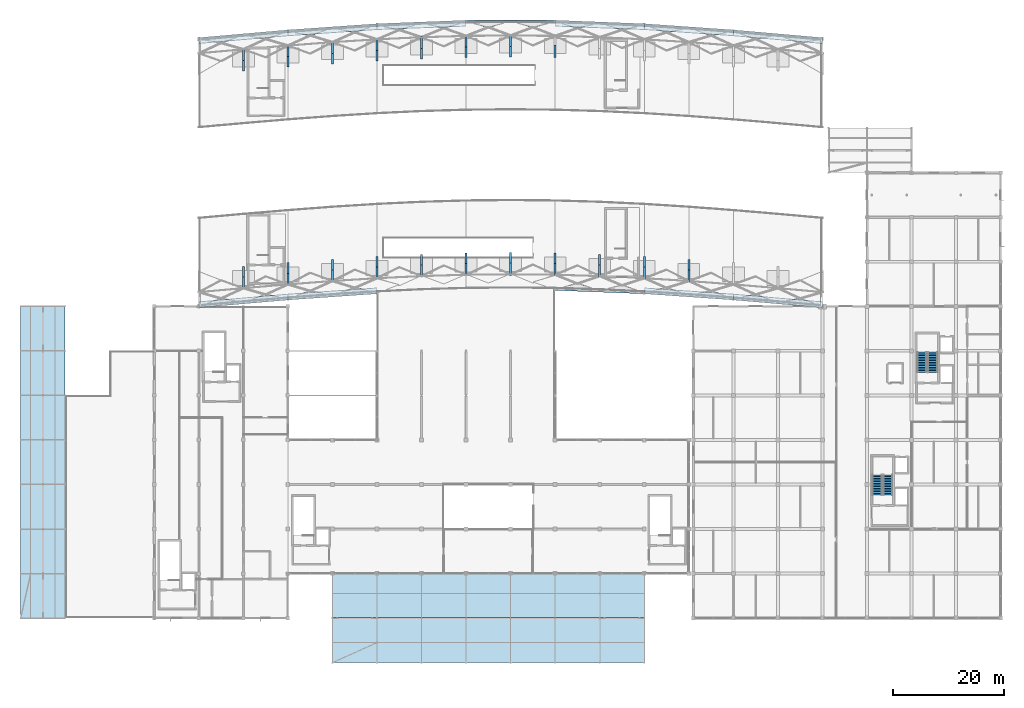
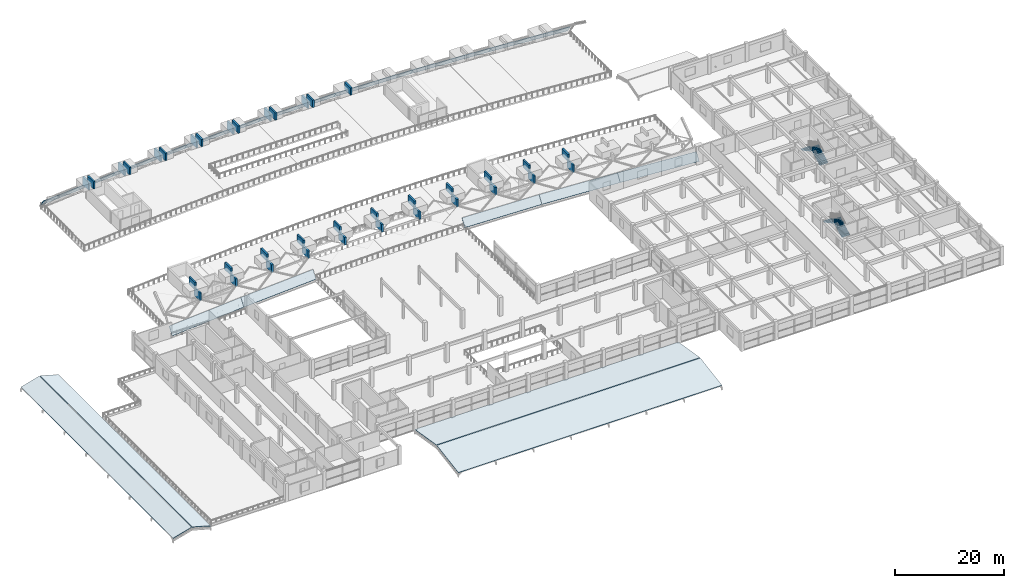
# One storey, part 49 of 67: 37 discrete accessories, 16 roofs, 4 stair flights, 2 elements without a shape of their own.
"""IFC4 building model written with IfcOpenShell, lengths in metres."""

import ifcopenshell
import ifcopenshell.guid

model = None  # the IFC model being written
_history = None  # IfcOwnerHistory: only IFC2X3 demands one
_inside = {}  # id of a spatial element -> (the spatial element, [elements in it])
_under = {}  # id of a project, library or spatial element -> (it, [spatial elements below it])
_declared = {}  # id of a project -> (the project, [libraries it declares])
_typed = {}  # id of a type object -> (the type object, [elements of that type])
_made_of = {}  # id of a material, layer set ... -> (it, [elements and type objects made of it])


def new_model(schema):
    """Start an empty IFC model of exactly this schema.

    Asked for "IFC4X3", IfcOpenShell would pick the latest addendum, in which some entities
    have other attributes; the version numbers below select the first issue.
    IFC2X3 requires an IfcOwnerHistory on every rooted entity: one is made here for all.
    """
    global model, _history
    if schema == "IFC4X3":
        model = ifcopenshell.file(schema_version=(4, 3, 0, 0))
    else:
        model = ifcopenshell.file(schema=schema)
    _inside.clear()
    _under.clear()
    _declared.clear()
    _typed.clear()
    _made_of.clear()
    _history = None
    if model.schema == "IFC2X3":
        org = make("IfcOrganization", Name="unknown")
        user = make(
            "IfcPersonAndOrganization",
            ThePerson=make("IfcPerson", FamilyName="unknown"),
            TheOrganization=org,
        )
        app = make(
            "IfcApplication",
            ApplicationDeveloper=org,
            Version="unknown",
            ApplicationFullName="unknown",
            ApplicationIdentifier="unknown",
        )
        _history = make(
            "IfcOwnerHistory",
            OwningUser=user,
            OwningApplication=app,
            ChangeAction="ADDED",
            CreationDate=0,
        )
    return model


def make(cls, **values):
    """One entity of the class cls with the attributes given. An attribute that is None is left unset."""
    return model.create_entity(
        cls, **{name: value for name, value in values.items() if value is not None}
    )


def rooted(cls, **values):
    """An entity with a GlobalId (a new one), such as an element, a storey or a relation."""
    return make(cls, GlobalId=ifcopenshell.guid.new(), OwnerHistory=_history, **values)


def si_unit(unit_type, name, prefix=None):
    """IfcSIUnit, for example si_unit("LENGTHUNIT", "METRE", prefix="MILLI")."""
    return make("IfcSIUnit", UnitType=unit_type, Prefix=prefix, Name=name)


def assignment(units):
    """IfcUnitAssignment: the units of a project."""
    return None if units is None else make("IfcUnitAssignment", Units=units)


def point(xyz):
    """IfcCartesianPoint."""
    return None if xyz is None else make("IfcCartesianPoint", Coordinates=xyz)


def direction(xyz):
    """IfcDirection."""
    return None if xyz is None else make("IfcDirection", DirectionRatios=xyz)


def frame(location, z_axis=None, x_axis=None):
    """IfcAxis2Placement3D, a coordinate frame: its origin and axes. An axis left out is left unset."""
    return make(
        "IfcAxis2Placement3D",
        Location=point(location),
        Axis=direction(z_axis),
        RefDirection=direction(x_axis),
    )


def frame_2d(location, x_axis=None):
    """IfcAxis2Placement2D, a coordinate frame in the plane: its origin and x axis."""
    return make(
        "IfcAxis2Placement2D", Location=point(location), RefDirection=direction(x_axis)
    )


def origin():
    """The frame at (0, 0, 0) with its axes left unset."""
    return frame((0.0, 0.0, 0.0))


def origin_2d():
    """The frame at (0, 0) in the plane with its x axis left unset."""
    return frame_2d((0.0, 0.0))


def place(relative_to, where):
    """IfcLocalPlacement: puts the frame where relative to a parent placement (None: the world)."""
    return make(
        "IfcLocalPlacement", PlacementRelTo=relative_to, RelativePlacement=where
    )


def context(
    kind, dimensions, precision=None, world=None, true_north=None, identifier=None
):
    """IfcGeometricRepresentationContext, for example the 3D "Model" context."""
    return make(
        "IfcGeometricRepresentationContext",
        ContextIdentifier=identifier,
        ContextType=kind,
        CoordinateSpaceDimension=dimensions,
        Precision=precision,
        WorldCoordinateSystem=world,
        TrueNorth=true_north,
    )


def subcontext(parent, identifier, kind, view, scale=None):
    """IfcGeometricRepresentationSubContext, for example "Body" below "Model"."""
    return make(
        "IfcGeometricRepresentationSubContext",
        ContextIdentifier=identifier,
        ContextType=kind,
        ParentContext=parent,
        TargetScale=scale,
        TargetView=view,
    )


def project(units=None, contexts=None):
    """IfcProject with its units and contexts."""
    return rooted(
        "IfcProject",
        Name="project",
        RepresentationContexts=contexts,
        UnitsInContext=assignment(units),
    )


def spatial(cls, under=None, at=None, **own):
    """A site, building, storey or space (cls), placed at a placement, below another one or the project."""
    s = rooted(cls, ObjectPlacement=at, **own)
    if under is not None:
        _under.setdefault(under.id(), (under, []))[1].append(s)
    return s


def polyline(points):
    """IfcPolyline through the points."""
    return make("IfcPolyline", Points=[point(p) for p in points])


def profile(cls, at=None, kind="AREA", **sizes):
    """A parametric profile (cls). Its sizes go by their IFC names, for example OverallWidth=200.0."""
    return make(cls, ProfileType=kind, Position=at, **sizes)


def rectangle(**sizes):
    """IfcRectangleProfileDef."""
    return profile("IfcRectangleProfileDef", **sizes)


def outline(outer, holes=None, kind="AREA"):
    """IfcArbitraryClosedProfileDef: a profile drawn as a closed curve; with holes, ...WithVoids."""
    if holes is None:
        return make("IfcArbitraryClosedProfileDef", ProfileType=kind, OuterCurve=outer)
    return make(
        "IfcArbitraryProfileDefWithVoids",
        ProfileType=kind,
        OuterCurve=outer,
        InnerCurves=holes,
    )


def extrude(swept, where, along, depth):
    """IfcExtrudedAreaSolid: the profile swept, set in the frame where, extruded along a direction by depth."""
    return make(
        "IfcExtrudedAreaSolid",
        SweptArea=swept,
        Position=where,
        ExtrudedDirection=direction(along),
        Depth=depth,
    )


def shape(context_of_items, identifier, shape_type, items):
    """IfcShapeRepresentation: the items that make up one representation, for example the "Body"."""
    return make(
        "IfcShapeRepresentation",
        ContextOfItems=context_of_items,
        RepresentationIdentifier=identifier,
        RepresentationType=shape_type,
        Items=items,
    )


def material(Name=None, Category=None):
    """IfcMaterial."""
    return make("IfcMaterial", Name=Name, Category=Category)


def layer(
    of_material, thickness, ventilated=None, Name=None, Category=None, Priority=None
):
    """IfcMaterialLayer: one layer of a wall or slab, of a material (None: an air gap)."""
    return make(
        "IfcMaterialLayer",
        Material=of_material,
        LayerThickness=thickness,
        IsVentilated=ventilated,
        Name=Name,
        Category=Category,
        Priority=Priority,
    )


def layer_set(layers, Name=None):
    """IfcMaterialLayerSet."""
    return make("IfcMaterialLayerSet", MaterialLayers=layers, LayerSetName=Name)


def made_of(thing, what):
    """Note that an element or type object is made of a material, layer set ...; save() writes the relation."""
    if what is not None:
        _made_of.setdefault(what.id(), (what, []))[1].append(thing)
    return thing


def type_object(cls, material=None, **own):
    """A type object (cls), such as IfcWallType, which elements share."""
    return made_of(rooted(cls, **own), material)


def element(
    cls,
    number,
    at=None,
    inside=None,
    cuts=None,
    type_object=None,
    material=None,
    context=None,
    identifier="Body",
    shape_type=None,
    held_by="IfcProductDefinitionShape",
    body=None,
    shapes=None,
    **own,
):
    """One element of the class cls, such as IfcWall. Its Tag is "e" and its number.

    at: its placement. inside: the storey or other place that contains it. cuts: it is an
    opening in that element (IfcRelVoidsElement). A single representation is given by context,
    identifier, shape_type and body (its items); several are given by shapes. held_by: the class
    of the entity that holds the representations. save() writes the other relations.
    """
    e = rooted(cls, Tag="e%d" % number, ObjectPlacement=at, **own)
    if body is not None:
        shapes = [shape(context, identifier, shape_type, body)]
    if shapes is not None:
        e.Representation = make(held_by, Representations=shapes)
    if inside is not None:
        _inside.setdefault(inside.id(), (inside, []))[1].append(e)
    if cuts is not None:
        rooted(
            "IfcRelVoidsElement", RelatingBuildingElement=cuts, RelatedOpeningElement=e
        )
    if type_object is not None:
        _typed.setdefault(type_object.id(), (type_object, []))[1].append(e)
    return made_of(e, material)


def aggregate(whole, parts):
    """IfcRelAggregates: a whole, such as a stair, and the parts it consists of."""
    return rooted("IfcRelAggregates", RelatingObject=whole, RelatedObjects=parts)


def save(model, path):
    """Write the relations noted so far, then the file.

    IfcRelAggregates (storeys below a building ...), IfcRelContainedInSpatialStructure (elements
    in a storey), IfcRelDefinesByType, IfcRelAssociatesMaterial and IfcRelDeclares: one each for
    every whole, place, type object, material and project.
    """
    for whole, parts in _under.values():
        aggregate(whole, parts)
    for where, things in _inside.values():
        rooted(
            "IfcRelContainedInSpatialStructure",
            RelatedElements=things,
            RelatingStructure=where,
        )
    for kind, things in _typed.values():
        rooted("IfcRelDefinesByType", RelatedObjects=things, RelatingType=kind)
    for what, things in _made_of.values():
        rooted("IfcRelAssociatesMaterial", RelatedObjects=things, RelatingMaterial=what)
    for by, libraries in _declared.values():
        rooted("IfcRelDeclares", RelatingContext=by, RelatedDefinitions=libraries)
    model.write(path)


model = new_model("IFC4")

# Units and contexts
model_context = context("Model", 3, precision=1e-05, world=origin(), true_north=direction((0.0, 1.0)))
body_context = subcontext(model_context, "Body", "Model", "MODEL_VIEW")
ifc_project = project(units=[si_unit("LENGTHUNIT", "METRE"), si_unit("AREAUNIT", "SQUARE_METRE"), si_unit("VOLUMEUNIT", "CUBIC_METRE"), si_unit("PLANEANGLEUNIT", "RADIAN"), si_unit("MASSUNIT", "GRAM", prefix="KILO")], contexts=[model_context])

# Site, building, storey
site_placement = place(None, origin())
site = spatial("IfcSite", under=ifc_project, at=site_placement, CompositionType="ELEMENT")
building_placement = place(site_placement, origin())
building = spatial("IfcBuilding", under=site, at=building_placement, Name="Kenh Van Central Station", CompositionType="ELEMENT")
storey_placement = place(building_placement, frame((0.0, 0.0, 10.800048828125)))
storey = spatial("IfcBuildingStorey", under=building, at=storey_placement, Name="L02", CompositionType="ELEMENT", Elevation=10.800048828125)

# Stair, stair flights
ifc_material_1 = material(Name="Concrete C35/45", Category="concrete")
stair_type_1 = type_object("IfcStairType", Name="STR-DLG-1700", PredefinedType="HALF_TURN_STAIR", material=ifc_material_1)
stair_1_placement = place(storey_placement, origin())
stair_1 = element("IfcStair", 1, at=stair_1_placement, inside=storey, type_object=stair_type_1, Name="L02 Operations South Firefighting Core", PredefinedType="HALF_TURN_STAIR")
ifc_layer_1 = layer(ifc_material_1, 0.179931640625, Name="Concrete C35/45")
ifc_layer_set_1 = layer_set([ifc_layer_1], Name="Concrete C35/45")
stair_flight_type_1 = type_object("IfcStairFlightType", Name="FLT-DLG-1700", PredefinedType="STRAIGHT", material=ifc_layer_set_1)
stair_flight_1_placement = place(storey_placement, frame((155.75, 30.10009765625, 0.0), z_axis=(0.0, 0.0, 1.0), x_axis=(0.0, 1.0, 0.0)))
stair_flight_1 = element("IfcStairFlight", 2, at=stair_flight_1_placement, type_object=stair_flight_type_1, Name="ST-09 flight 1", NumberOfRisers=13, NumberOfTreads=12, PredefinedType="STRAIGHT", RiserHeight=0.161538462, TreadLength=0.3, context=body_context, shape_type="SweptSolid", body=[
    extrude(outline(polyline([(0.0, 0.0), (0.0, 0.16162109375), (0.300048828125, 0.16162109375), (0.300048828125, 0.322998046875), (0.60009765625, 0.322998046875), (0.60009765625, 0.484619140625), (0.89990234375, 0.484619140625), (0.89990234375, 0.646240234375), (1.199951171875, 0.646240234375), (1.199951171875, 0.8076171875), (1.5, 0.8076171875), (1.5, 0.96923828125), (1.800048828125, 0.96923828125), (1.800048828125, 1.130859375), (2.10009765625, 1.130859375), (2.10009765625, 1.292236328125), (2.39990234375, 1.292236328125), (2.39990234375, 1.453857421875), (2.699951171875, 1.453857421875), (2.699951171875, 1.615478515625), (3.0, 1.615478515625), (3.0, 1.77685546875), (3.300048828125, 1.77685546875), (3.300048828125, 1.9384765625), (3.60009765625, 1.9384765625), (3.60009765625, 2.10009765625), (3.60009765625, 1.734130859375), (0.379638671875, 0.0), (0.0, 0.0)])), frame((0.0, 0.85009765625, 0.0), z_axis=(0.0, -1.0, 0.0), x_axis=(1.0, 0.0, 0.0)), (0.0, 0.0, 1.0), 1.699951171875),
])
stair_flight_2_placement = place(storey_placement, frame((153.85009765625, 33.699951171875, 2.099853515625), z_axis=(0.0, 0.0, 1.0), x_axis=(0.0, -1.0, 0.0)))
stair_flight_2 = element("IfcStairFlight", 3, at=stair_flight_2_placement, type_object=stair_flight_type_1, Name="ST-09 flight 2", NumberOfRisers=13, NumberOfTreads=12, PredefinedType="STRAIGHT", RiserHeight=0.161538462, TreadLength=0.3, context=body_context, shape_type="SweptSolid", body=[
    extrude(outline(polyline([(0.0, 0.0), (0.0, 0.16162109375), (0.300048828125, 0.16162109375), (0.300048828125, 0.322998046875), (0.60009765625, 0.322998046875), (0.60009765625, 0.484619140625), (0.89990234375, 0.484619140625), (0.89990234375, 0.646240234375), (1.199951171875, 0.646240234375), (1.199951171875, 0.8076171875), (1.5, 0.8076171875), (1.5, 0.96923828125), (1.800048828125, 0.96923828125), (1.800048828125, 1.130859375), (2.10009765625, 1.130859375), (2.10009765625, 1.292236328125), (2.39990234375, 1.292236328125), (2.39990234375, 1.453857421875), (2.699951171875, 1.453857421875), (2.699951171875, 1.615478515625), (3.0, 1.615478515625), (3.0, 1.77685546875), (3.300048828125, 1.77685546875), (3.300048828125, 1.9384765625), (3.60009765625, 1.9384765625), (3.60009765625, 2.10009765625), (3.60009765625, 1.734130859375), (0.379638671875, 0.0), (0.0, 0.0)])), frame((0.0, 0.85009765625, 0.0), z_axis=(0.0, -1.0, 0.0), x_axis=(1.0, 0.0, 0.0)), (0.0, 0.0, 1.0), 1.699951171875),
])
aggregate(stair_1, [stair_flight_1, stair_flight_2])

stair_type_2 = type_object("IfcStairType", Name="STR-DLG-1750", PredefinedType="HALF_TURN_STAIR", material=ifc_material_1)
stair_2_placement = place(storey_placement, origin())
stair_2 = element("IfcStair", 4, at=stair_2_placement, inside=storey, type_object=stair_type_2, Name="L02 Operations North Firefighting and Goods Core", PredefinedType="HALF_TURN_STAIR")
ifc_layer_2 = layer(ifc_material_1, 0.179931640625, Name="Concrete C35/45")
ifc_layer_set_2 = layer_set([ifc_layer_2], Name="Concrete C35/45")
stair_flight_type_2 = type_object("IfcStairFlightType", Name="FLT-DLG-1750", PredefinedType="STRAIGHT", material=ifc_layer_set_2)
stair_flight_3_placement = place(storey_placement, frame((163.824951171875, 52.14990234375, 0.0), z_axis=(0.0, 0.0, 1.0), x_axis=(0.0, 1.0, 0.0)))
stair_flight_3 = element("IfcStairFlight", 5, at=stair_flight_3_placement, type_object=stair_flight_type_2, Name="ST-10 flight 1", NumberOfRisers=13, NumberOfTreads=12, PredefinedType="STRAIGHT", RiserHeight=0.161538462, TreadLength=0.3, context=body_context, shape_type="SweptSolid", body=[
    extrude(outline(polyline([(0.0, 0.0), (0.0, 0.16162109375), (0.300048828125, 0.16162109375), (0.300048828125, 0.322998046875), (0.60009765625, 0.322998046875), (0.60009765625, 0.484619140625), (0.89990234375, 0.484619140625), (0.89990234375, 0.646240234375), (1.199951171875, 0.646240234375), (1.199951171875, 0.8076171875), (1.5, 0.8076171875), (1.5, 0.96923828125), (1.800048828125, 0.96923828125), (1.800048828125, 1.130859375), (2.10009765625, 1.130859375), (2.10009765625, 1.292236328125), (2.39990234375, 1.292236328125), (2.39990234375, 1.453857421875), (2.699951171875, 1.453857421875), (2.699951171875, 1.615478515625), (3.0, 1.615478515625), (3.0, 1.77685546875), (3.300048828125, 1.77685546875), (3.300048828125, 1.9384765625), (3.60009765625, 1.9384765625), (3.60009765625, 2.10009765625), (3.60009765625, 1.734130859375), (0.379638671875, 0.0), (0.0, 0.0)])), frame((0.0, 0.875, 0.0), z_axis=(0.0, -1.0, 0.0), x_axis=(1.0, 0.0, 0.0)), (0.0, 0.0, 1.0), 1.75),
])
stair_flight_4_placement = place(storey_placement, frame((161.875, 55.75, 2.099853515625), z_axis=(0.0, 0.0, 1.0), x_axis=(0.0, -1.0, 0.0)))
stair_flight_4 = element("IfcStairFlight", 6, at=stair_flight_4_placement, type_object=stair_flight_type_2, Name="ST-10 flight 2", NumberOfRisers=13, NumberOfTreads=12, PredefinedType="STRAIGHT", RiserHeight=0.161538462, TreadLength=0.3, context=body_context, shape_type="SweptSolid", body=[
    extrude(outline(polyline([(0.0, 0.0), (0.0, 0.16162109375), (0.300048828125, 0.16162109375), (0.300048828125, 0.322998046875), (0.60009765625, 0.322998046875), (0.60009765625, 0.484619140625), (0.89990234375, 0.484619140625), (0.89990234375, 0.646240234375), (1.199951171875, 0.646240234375), (1.199951171875, 0.8076171875), (1.5, 0.8076171875), (1.5, 0.96923828125), (1.800048828125, 0.96923828125), (1.800048828125, 1.130859375), (2.10009765625, 1.130859375), (2.10009765625, 1.292236328125), (2.39990234375, 1.292236328125), (2.39990234375, 1.453857421875), (2.699951171875, 1.453857421875), (2.699951171875, 1.615478515625), (3.0, 1.615478515625), (3.0, 1.77685546875), (3.300048828125, 1.77685546875), (3.300048828125, 1.9384765625), (3.60009765625, 1.9384765625), (3.60009765625, 2.10009765625), (3.60009765625, 1.734130859375), (0.379638671875, 0.0), (0.0, 0.0)])), frame((0.0, 0.875, 0.0), z_axis=(0.0, -1.0, 0.0), x_axis=(1.0, 0.0, 0.0)), (0.0, 0.0, 1.0), 1.75),
])
aggregate(stair_2, [stair_flight_3, stair_flight_4])

# Roofs
ifc_material_2 = material(Name="Standing-seam zinc-aluminium roofing", Category="aluminium")
ifc_layer_3 = layer(ifc_material_2, 0.0849609375, Name="Standing-seam zinc-aluminium roofing")
ifc_layer_set_3 = layer_set([ifc_layer_3], Name="Standing-seam zinc-aluminium roofing")
roof_type_1 = type_object("IfcRoofType", Name="ROOF-BARREL-EAVE", PredefinedType="BARREL_ROOF", material=ifc_layer_set_3)
for number, where, z_axis, x_axis, name in (
    (7, (32.0, 63.739990234375, 0.530029296875), (0.071946943803, -0.829104081069, 0.554445723251), (0.996256030684, 0.086451843971, 0.0), "Train shed springing curb roof S1"),
    (8, (32.0, 111.204345703125, 2.108642578125), (-0.071946943803, 0.829104081069, 0.554445723251), (0.996256030684, 0.086451843971, 0.0), "Train shed springing curb roof N1"),
):
    element("IfcRoof", number, at=place(storey_placement, frame(where, z_axis=z_axis, x_axis=x_axis)), inside=storey, type_object=roof_type_1, Name=name, PredefinedType="BARREL_ROOF", context=body_context, shape_type="SweptSolid", body=[
        extrude(outline(polyline([(0.0, 0.0), (16.06012862879939, 1.1102230246251565e-16), (16.151392733616685, 1.896870414067549), (0.09126410481729474, 1.896870414067549), (0.0, 0.0)])), origin(), (0.0, 0.0, -1.0), 0.0849609375),
    ])
roof_1_placement = place(storey_placement, frame((48.0, 65.12841796875, 0.530029296875), z_axis=(0.057750881839, -0.829900623227, 0.554914219691), x_axis=(0.997587371326, 0.06942216187, 3.505039e-06)))
element("IfcRoof", 9, at=roof_1_placement, inside=storey, type_object=roof_type_1, Name="Train shed springing curb roof S2", PredefinedType="BARREL_ROOF", context=body_context, shape_type="SweptSolid", body=[
    extrude(outline(polyline([(0.0, 0.0), (16.038701281129455, 1.1102230246251565e-16), (16.111976346887115, 1.8975146528300604), (0.07329201452764729, 1.8976498030291113), (0.0, 0.0)])), origin(), (0.0, 0.0, -1.0), 0.0849609375),
])
roof_2_placement = place(storey_placement, frame((48.0, 112.5927734375, 2.108642578125), z_axis=(-0.057755135549, 0.82987076592, 0.554958427442), x_axis=(0.997587006531, 0.069427403821, 0.0)))
element("IfcRoof", 10, at=roof_2_placement, inside=storey, type_object=roof_type_1, Name="Train shed springing curb roof N2", PredefinedType="BARREL_ROOF", context=body_context, shape_type="SweptSolid", body=[
    extrude(outline(polyline([(0.0, 0.0), (16.0387012814494, -1.1102230246251565e-16), (16.11199329661547, 1.8976498057085747), (0.07329201516607195, 1.8976498057085749), (0.0, 0.0)])), origin(), (0.0, 0.0, -1.0), 0.0849609375),
])
roof_3_placement = place(storey_placement, frame((64.0, 113.706298828125, 2.108642578125), z_axis=(-0.032086662011, 0.830830296946, 0.555600093411), x_axis=(0.999255081172, 0.038591226356, 0.0)))
element("IfcRoof", 11, at=roof_3_placement, inside=storey, type_object=roof_type_1, Name="Train shed springing curb roof N3", PredefinedType="BARREL_ROOF", context=body_context, shape_type="SweptSolid", body=[
    extrude(outline(polyline([(0.0, 0.0), (16.0119275863292, -1.1102230246251565e-16), (16.052666957120707, 1.8986276117923722), (0.040739370791508266, 1.8986276117923722), (0.0, 0.0)])), origin(), (0.0, 0.0, -1.0), 0.0849609375),
])
roof_4_placement = place(storey_placement, frame((80.0, 114.32421875, 2.108642578125), z_axis=(0.0, 0.831258319756, 0.555886324563), x_axis=(1.0, 0.0, 0.0)))
element("IfcRoof", 12, at=roof_4_placement, inside=storey, type_object=roof_type_1, Name="Train shed springing curb roof N4", PredefinedType="BARREL_ROOF", context=body_context, shape_type="SweptSolid", body=[
    extrude(outline(polyline([(0.0, 0.0), (16.0, 0.0), (16.0, 1.899064639393008), (0.0, 1.899064639393008), (0.0, 0.0)])), origin(), (0.0, 0.0, -1.0), 0.0849609375),
])
roof_5_placement = place(storey_placement, frame((96.0, 66.85986328125, 0.530029296875), z_axis=(-0.032088952667, -0.830889609625, 0.555511256172), x_axis=(0.999255081172, -0.038591226356, 0.0)))
element("IfcRoof", 13, at=roof_5_placement, inside=storey, type_object=roof_type_1, Name="Train shed springing curb roof S5", PredefinedType="BARREL_ROOF", context=body_context, shape_type="SweptSolid", body=[
    extrude(outline(polyline([(0.0, 0.0), (16.0119275863292, 0.0), (15.971197637223813, 1.8984920791184239), (-0.04072994910538627, 1.8984920791184239), (0.0, 0.0)])), origin(), (0.0, 0.0, -1.0), 0.0849609375),
])
roof_6_placement = place(storey_placement, frame((96.0, 114.32421875, 2.108642578125), z_axis=(0.032086662011, 0.830830296946, 0.555600093411), x_axis=(0.999255081172, -0.038591226356, 0.0)))
element("IfcRoof", 14, at=roof_6_placement, inside=storey, type_object=roof_type_1, Name="Train shed springing curb roof N5", PredefinedType="BARREL_ROOF", context=body_context, shape_type="SweptSolid", body=[
    extrude(outline(polyline([(0.0, 0.0), (16.0119275863292, 1.1102230246251565e-16), (15.97118821553769, 1.8986276117923724), (-0.040739370791508266, 1.8986276117923722), (0.0, 0.0)])), origin(), (0.0, 0.0, -1.0), 0.0849609375),
])
roof_7_placement = place(storey_placement, frame((112.0, 66.241943359375, 0.530029296875), z_axis=(-0.057750881839, -0.829900623227, 0.554914219691), x_axis=(0.997587371326, -0.06942216187, -3.505039e-06)))
element("IfcRoof", 15, at=roof_7_placement, inside=storey, type_object=roof_type_1, Name="Train shed springing curb roof S6", PredefinedType="BARREL_ROOF", context=body_context, shape_type="SweptSolid", body=[
    extrude(outline(polyline([(0.0, 0.0), (16.038701281129455, -1.1102230246251565e-16), (15.965409266601808, 1.8976498030291111), (-0.0732750657576595, 1.8975146528300602), (0.0, 0.0)])), origin(), (0.0, 0.0, -1.0), 0.0849609375),
])
roof_8_placement = place(storey_placement, frame((112.0, 113.706298828125, 2.108642578125), z_axis=(0.057755135549, 0.82987076592, 0.554958427442), x_axis=(0.997587006531, -0.069427403821, 0.0)))
element("IfcRoof", 16, at=roof_8_placement, inside=storey, type_object=roof_type_1, Name="Train shed springing curb roof N6", PredefinedType="BARREL_ROOF", context=body_context, shape_type="SweptSolid", body=[
    extrude(outline(polyline([(0.0, 0.0), (16.0387012814494, 1.1102230246251565e-16), (15.965409266283325, 1.8976498057085749), (-0.07329201516607195, 1.8976498057085749), (0.0, 0.0)])), origin(), (0.0, 0.0, -1.0), 0.0849609375),
])
for number, where, z_axis, x_axis, name in (
    (17, (128.0, 65.12841796875, 0.530029296875), (-0.071946943803, -0.829104081069, 0.554445723251), (0.996256030684, -0.086451843971, 0.0), "Train shed springing curb roof S7"),
    (18, (128.0, 112.5927734375, 2.108642578125), (0.071946943803, 0.829104081069, 0.554445723251), (0.996256030684, -0.086451843971, 0.0), "Train shed springing curb roof N7"),
):
    element("IfcRoof", number, at=place(storey_placement, frame(where, z_axis=z_axis, x_axis=x_axis)), inside=storey, type_object=roof_type_1, Name=name, PredefinedType="BARREL_ROOF", context=body_context, shape_type="SweptSolid", body=[
        extrude(outline(polyline([(0.0, 0.0), (16.06012862879939, -1.1102230246251565e-16), (15.968864523982095, 1.896870414067549), (-0.09126410481729474, 1.896870414067549), (0.0, 0.0)])), origin(), (0.0, 0.0, -1.0), 0.0849609375),
    ])
ifc_material_3 = material(Name="Glazed terracotta roof tile", Category="masonry")
ifc_layer_4 = layer(ifc_material_3, 0.094970703125, Name="Glazed terracotta roof tile")
ifc_layer_set_4 = layer_set([ifc_layer_4], Name="Glazed terracotta roof tile")
roof_type_2 = type_object("IfcRoofType", Name="ROOF-HIP-WING", PredefinedType="HIP_ROOF", material=ifc_layer_set_4)
for number, where, z_axis, x_axis, name in (
    (19, (56.0, 0.0, 0.094970703125), (0.0, -0.162381087761, 0.986728119766), (1.0, 0.0, 0.0), "L02 sloped hip roof 01"),
    (20, (56.0, 8.10009765625, 1.39501953125), (0.0, 0.162381087761, 0.986728119766), (1.0, 0.0, 0.0), "L02 sloped hip roof 02"),
):
    element("IfcRoof", number, at=place(storey_placement, frame(where, z_axis=z_axis, x_axis=x_axis)), inside=storey, type_object=roof_type_2, Name=name, PredefinedType="HIP_ROOF", context=body_context, shape_type="SweptSolid", body=[
        extrude(outline(polyline([(0.0, 0.0), (56.0, 0.0), (56.0, 8.006159128839244), (0.0, 8.006159128839244), (0.0, 0.0)])), origin(), (0.0, 0.0, -1.0), 0.094970703125),
    ])
for number, where, z_axis, x_axis, name in (
    (21, (0.0, 8.0, 0.094970703125), (-0.271488785727, 0.0, 0.96244160302), (0.96244160302, 0.0, 0.271488785727), "L02 sloped hip roof 09"),
    (22, (4.10009765625, 8.0, 1.195068359375), (0.271488785727, 0.0, 0.96244160302), (0.96244160302, 0.0, -0.271488785727), "L02 sloped hip roof 10"),
):
    element("IfcRoof", number, at=place(storey_placement, frame(where, z_axis=z_axis, x_axis=x_axis)), inside=storey, type_object=roof_type_2, Name=name, PredefinedType="HIP_ROOF", context=body_context, shape_type="SweptSolid", body=[
        extrude(outline(polyline([(0.0, 0.0), (4.052092440218201, 0.0), (4.052092440218201, 56.000000000000014), (0.0, 56.000000000000014), (0.0, 0.0)])), origin(), (0.0, 0.0, -1.0), 0.094970703125),
    ])

# Discrete accessories
ifc_material_4 = material(Name="White fluoropolymer structural steel S355", Category="steel")
discrete_accessory_type = type_object("IfcDiscreteAccessoryType", Name="ACC-BRKT-STL", PredefinedType="BRACKET", material=ifc_material_4)
discrete_accessory_1_placement = place(storey_placement, frame((40.0, 68.1708984375, 3.581787109375), z_axis=(0.0, 0.0, 1.0), x_axis=(1.0, 0.0, 0.0)))
element("IfcDiscreteAccessory", 23, at=discrete_accessory_1_placement, inside=storey, type_object=discrete_accessory_type, Name="Vault louvre fixing bracket 003", PredefinedType="BRACKET", context=body_context, shape_type="SweptSolid", body=[
    extrude(rectangle(XDim=0.360107421875, YDim=2.1728515625, at=origin_2d()), origin(), (0.0, 0.0, 1.0), 1.75341796875),
])
discrete_accessory_2_placement = place(storey_placement, frame((40.0, 70.029541015625, 4.975341796875), z_axis=(0.0, 0.0, 1.0), x_axis=(1.0, 0.0, 0.0)))
element("IfcDiscreteAccessory", 24, at=discrete_accessory_2_placement, inside=storey, type_object=discrete_accessory_type, Name="Vault louvre fixing bracket 004", PredefinedType="BRACKET", context=body_context, shape_type="SweptSolid", body=[
    extrude(rectangle(XDim=0.360107421875, YDim=2.26416015625, at=origin_2d()), origin(), (0.0, 0.0, 1.0), 1.63330078125),
])
discrete_accessory_3_placement = place(storey_placement, frame((40.0, 107.392578125, 4.975341796875), z_axis=(0.0, 0.0, 1.0), x_axis=(1.0, 0.0, 0.0)))
element("IfcDiscreteAccessory", 25, at=discrete_accessory_3_placement, inside=storey, type_object=discrete_accessory_type, Name="Vault louvre fixing bracket 009", PredefinedType="BRACKET", context=body_context, shape_type="SweptSolid", body=[
    extrude(rectangle(XDim=0.360107421875, YDim=2.259765625, at=origin_2d()), origin(), (0.0, 0.0, 1.0), 1.63330078125),
])
discrete_accessory_4_placement = place(storey_placement, frame((40.0, 109.2509765625, 3.581787109375), z_axis=(0.0, 0.0, 1.0), x_axis=(1.0, 0.0, 0.0)))
element("IfcDiscreteAccessory", 26, at=discrete_accessory_4_placement, inside=storey, type_object=discrete_accessory_type, Name="Vault louvre fixing bracket 010", PredefinedType="BRACKET", context=body_context, shape_type="SweptSolid", body=[
    extrude(rectangle(XDim=0.360107421875, YDim=2.177490234375, at=origin_2d()), origin(), (0.0, 0.0, 1.0), 1.75341796875),
])
discrete_accessory_5_placement = place(storey_placement, frame((48.0, 68.84619140625, 3.581787109375), z_axis=(0.0, 0.0, 1.0), x_axis=(1.0, 0.0, 0.0)))
element("IfcDiscreteAccessory", 27, at=discrete_accessory_5_placement, inside=storey, type_object=discrete_accessory_type, Name="Vault louvre fixing bracket 013", PredefinedType="BRACKET", context=body_context, shape_type="SweptSolid", body=[
    extrude(rectangle(XDim=0.360107421875, YDim=2.1708984375, at=origin_2d()), origin(), (0.0, 0.0, 1.0), 1.75341796875),
])
discrete_accessory_6_placement = place(storey_placement, frame((48.0, 70.70458984375, 4.975341796875), z_axis=(0.0, 0.0, 1.0), x_axis=(1.0, 0.0, 0.0)))
element("IfcDiscreteAccessory", 28, at=discrete_accessory_6_placement, inside=storey, type_object=discrete_accessory_type, Name="Vault louvre fixing bracket 014", PredefinedType="BRACKET", context=body_context, shape_type="SweptSolid", body=[
    extrude(rectangle(XDim=0.360107421875, YDim=2.266357421875, at=origin_2d()), origin(), (0.0, 0.0, 1.0), 1.63330078125),
])
discrete_accessory_7_placement = place(storey_placement, frame((48.0, 108.06787109375, 4.975341796875), z_axis=(0.0, 0.0, 1.0), x_axis=(1.0, 0.0, 0.0)))
element("IfcDiscreteAccessory", 29, at=discrete_accessory_7_placement, inside=storey, type_object=discrete_accessory_type, Name="Vault louvre fixing bracket 015", PredefinedType="BRACKET", context=body_context, shape_type="SweptSolid", body=[
    extrude(rectangle(XDim=0.360107421875, YDim=2.257568359375, at=origin_2d()), origin(), (0.0, 0.0, 1.0), 1.63330078125),
])
discrete_accessory_8_placement = place(storey_placement, frame((48.0, 109.92626953125, 3.581787109375), z_axis=(0.0, 0.0, 1.0), x_axis=(1.0, 0.0, 0.0)))
element("IfcDiscreteAccessory", 30, at=discrete_accessory_8_placement, inside=storey, type_object=discrete_accessory_type, Name="Vault louvre fixing bracket 016", PredefinedType="BRACKET", context=body_context, shape_type="SweptSolid", body=[
    extrude(rectangle(XDim=0.360107421875, YDim=2.179443359375, at=origin_2d()), origin(), (0.0, 0.0, 1.0), 1.75341796875),
])
discrete_accessory_9_placement = place(storey_placement, frame((56.0, 69.451904296875, 3.581787109375), z_axis=(0.0, 0.0, 1.0), x_axis=(1.0, 0.0, 0.0)))
element("IfcDiscreteAccessory", 31, at=discrete_accessory_9_placement, inside=storey, type_object=discrete_accessory_type, Name="Vault louvre fixing bracket 019", PredefinedType="BRACKET", context=body_context, shape_type="SweptSolid", body=[
    extrude(rectangle(XDim=0.360107421875, YDim=2.168701171875, at=origin_2d()), origin(), (0.0, 0.0, 1.0), 1.75341796875),
])
discrete_accessory_10_placement = place(storey_placement, frame((56.0, 71.310546875, 4.975341796875), z_axis=(0.0, 0.0, 1.0), x_axis=(1.0, 0.0, 0.0)))
element("IfcDiscreteAccessory", 32, at=discrete_accessory_10_placement, inside=storey, type_object=discrete_accessory_type, Name="Vault louvre fixing bracket 020", PredefinedType="BRACKET", context=body_context, shape_type="SweptSolid", body=[
    extrude(rectangle(XDim=0.360107421875, YDim=2.268310546875, at=origin_2d()), origin(), (0.0, 0.0, 1.0), 1.63330078125),
])
discrete_accessory_11_placement = place(storey_placement, frame((56.0, 108.673583984375, 4.975341796875), z_axis=(0.0, 0.0, 1.0), x_axis=(1.0, 0.0, 0.0)))
element("IfcDiscreteAccessory", 33, at=discrete_accessory_11_placement, inside=storey, type_object=discrete_accessory_type, Name="Vault louvre fixing bracket 025", PredefinedType="BRACKET", context=body_context, shape_type="SweptSolid", body=[
    extrude(rectangle(XDim=0.360107421875, YDim=2.255615234375, at=origin_2d()), origin(), (0.0, 0.0, 1.0), 1.63330078125),
])
discrete_accessory_12_placement = place(storey_placement, frame((56.0, 110.5322265625, 3.581787109375), z_axis=(0.0, 0.0, 1.0), x_axis=(1.0, 0.0, 0.0)))
element("IfcDiscreteAccessory", 34, at=discrete_accessory_12_placement, inside=storey, type_object=discrete_accessory_type, Name="Vault louvre fixing bracket 026", PredefinedType="BRACKET", context=body_context, shape_type="SweptSolid", body=[
    extrude(rectangle(XDim=0.360107421875, YDim=2.181396484375, at=origin_2d()), origin(), (0.0, 0.0, 1.0), 1.75341796875),
])
discrete_accessory_13_placement = place(storey_placement, frame((64.0, 69.9580078125, 3.581787109375), z_axis=(0.0, 0.0, 1.0), x_axis=(1.0, 0.0, 0.0)))
element("IfcDiscreteAccessory", 35, at=discrete_accessory_13_placement, inside=storey, type_object=discrete_accessory_type, Name="Vault louvre fixing bracket 029", PredefinedType="BRACKET", context=body_context, shape_type="SweptSolid", body=[
    extrude(rectangle(XDim=0.360107421875, YDim=2.167236328125, at=origin_2d()), origin(), (0.0, 0.0, 1.0), 1.75341796875),
])
discrete_accessory_14_placement = place(storey_placement, frame((64.0, 71.81640625, 4.975341796875), z_axis=(0.0, 0.0, 1.0), x_axis=(1.0, 0.0, 0.0)))
element("IfcDiscreteAccessory", 36, at=discrete_accessory_14_placement, inside=storey, type_object=discrete_accessory_type, Name="Vault louvre fixing bracket 030", PredefinedType="BRACKET", context=body_context, shape_type="SweptSolid", body=[
    extrude(rectangle(XDim=0.360107421875, YDim=2.269775390625, at=origin_2d()), origin(), (0.0, 0.0, 1.0), 1.63330078125),
])
discrete_accessory_15_placement = place(storey_placement, frame((64.0, 109.179443359375, 4.975341796875), z_axis=(0.0, 0.0, 1.0), x_axis=(1.0, 0.0, 0.0)))
element("IfcDiscreteAccessory", 37, at=discrete_accessory_15_placement, inside=storey, type_object=discrete_accessory_type, Name="Vault louvre fixing bracket 031", PredefinedType="BRACKET", context=body_context, shape_type="SweptSolid", body=[
    extrude(rectangle(XDim=0.360107421875, YDim=2.25390625, at=origin_2d()), origin(), (0.0, 0.0, 1.0), 1.63330078125),
])
discrete_accessory_16_placement = place(storey_placement, frame((64.0, 111.0380859375, 3.581787109375), z_axis=(0.0, 0.0, 1.0), x_axis=(1.0, 0.0, 0.0)))
element("IfcDiscreteAccessory", 38, at=discrete_accessory_16_placement, inside=storey, type_object=discrete_accessory_type, Name="Vault louvre fixing bracket 032", PredefinedType="BRACKET", context=body_context, shape_type="SweptSolid", body=[
    extrude(rectangle(XDim=0.360107421875, YDim=2.18310546875, at=origin_2d()), origin(), (0.0, 0.0, 1.0), 1.75341796875),
])
discrete_accessory_17_placement = place(storey_placement, frame((72.0, 70.338623046875, 3.581787109375), z_axis=(0.0, 0.0, 1.0), x_axis=(1.0, 0.0, 0.0)))
element("IfcDiscreteAccessory", 39, at=discrete_accessory_17_placement, inside=storey, type_object=discrete_accessory_type, Name="Vault louvre fixing bracket 035", PredefinedType="BRACKET", context=body_context, shape_type="SweptSolid", body=[
    extrude(rectangle(XDim=0.360107421875, YDim=2.166015625, at=origin_2d()), origin(), (0.0, 0.0, 1.0), 1.75341796875),
])
discrete_accessory_18_placement = place(storey_placement, frame((72.0, 72.197021484375, 4.975341796875), z_axis=(0.0, 0.0, 1.0), x_axis=(1.0, 0.0, 0.0)))
element("IfcDiscreteAccessory", 40, at=discrete_accessory_18_placement, inside=storey, type_object=discrete_accessory_type, Name="Vault louvre fixing bracket 036", PredefinedType="BRACKET", context=body_context, shape_type="SweptSolid", body=[
    extrude(rectangle(XDim=0.360107421875, YDim=2.27099609375, at=origin_2d()), origin(), (0.0, 0.0, 1.0), 1.63330078125),
])
discrete_accessory_19_placement = place(storey_placement, frame((72.0, 109.56005859375, 4.975341796875), z_axis=(0.0, 0.0, 1.0), x_axis=(1.0, 0.0, 0.0)))
element("IfcDiscreteAccessory", 41, at=discrete_accessory_19_placement, inside=storey, type_object=discrete_accessory_type, Name="Vault louvre fixing bracket 041", PredefinedType="BRACKET", context=body_context, shape_type="SweptSolid", body=[
    extrude(rectangle(XDim=0.360107421875, YDim=2.2529296875, at=origin_2d()), origin(), (0.0, 0.0, 1.0), 1.63330078125),
])
discrete_accessory_20_placement = place(storey_placement, frame((72.0, 111.418701171875, 3.581787109375), z_axis=(0.0, 0.0, 1.0), x_axis=(1.0, 0.0, 0.0)))
element("IfcDiscreteAccessory", 42, at=discrete_accessory_20_placement, inside=storey, type_object=discrete_accessory_type, Name="Vault louvre fixing bracket 042", PredefinedType="BRACKET", context=body_context, shape_type="SweptSolid", body=[
    extrude(rectangle(XDim=0.360107421875, YDim=2.18408203125, at=origin_2d()), origin(), (0.0, 0.0, 1.0), 1.75341796875),
])
discrete_accessory_21_placement = place(storey_placement, frame((80.0, 70.574951171875, 3.581787109375), z_axis=(0.0, 0.0, 1.0), x_axis=(1.0, 0.0, 0.0)))
element("IfcDiscreteAccessory", 43, at=discrete_accessory_21_placement, inside=storey, type_object=discrete_accessory_type, Name="Vault louvre fixing bracket 045", PredefinedType="BRACKET", context=body_context, shape_type="SweptSolid", body=[
    extrude(rectangle(XDim=0.360107421875, YDim=2.165283203125, at=origin_2d()), origin(), (0.0, 0.0, 1.0), 1.75341796875),
])
discrete_accessory_22_placement = place(storey_placement, frame((80.0, 72.433349609375, 4.975341796875), z_axis=(0.0, 0.0, 1.0), x_axis=(1.0, 0.0, 0.0)))
element("IfcDiscreteAccessory", 44, at=discrete_accessory_22_placement, inside=storey, type_object=discrete_accessory_type, Name="Vault louvre fixing bracket 046", PredefinedType="BRACKET", context=body_context, shape_type="SweptSolid", body=[
    extrude(rectangle(XDim=0.360107421875, YDim=2.271728515625, at=origin_2d()), origin(), (0.0, 0.0, 1.0), 1.63330078125),
])
discrete_accessory_23_placement = place(storey_placement, frame((80.0, 109.79638671875, 4.975341796875), z_axis=(0.0, 0.0, 1.0), x_axis=(1.0, 0.0, 0.0)))
element("IfcDiscreteAccessory", 45, at=discrete_accessory_23_placement, inside=storey, type_object=discrete_accessory_type, Name="Vault louvre fixing bracket 047", PredefinedType="BRACKET", context=body_context, shape_type="SweptSolid", body=[
    extrude(rectangle(XDim=0.360107421875, YDim=2.252197265625, at=origin_2d()), origin(), (0.0, 0.0, 1.0), 1.63330078125),
])
discrete_accessory_24_placement = place(storey_placement, frame((80.0, 111.655029296875, 3.581787109375), z_axis=(0.0, 0.0, 1.0), x_axis=(1.0, 0.0, 0.0)))
element("IfcDiscreteAccessory", 46, at=discrete_accessory_24_placement, inside=storey, type_object=discrete_accessory_type, Name="Vault louvre fixing bracket 048", PredefinedType="BRACKET", context=body_context, shape_type="SweptSolid", body=[
    extrude(rectangle(XDim=0.360107421875, YDim=2.18505859375, at=origin_2d()), origin(), (0.0, 0.0, 1.0), 1.75341796875),
])
discrete_accessory_25_placement = place(storey_placement, frame((88.0, 70.655029296875, 3.581787109375), z_axis=(0.0, 0.0, 1.0), x_axis=(1.0, 0.0, 0.0)))
element("IfcDiscreteAccessory", 47, at=discrete_accessory_25_placement, inside=storey, type_object=discrete_accessory_type, Name="Vault louvre fixing bracket 051", PredefinedType="BRACKET", context=body_context, shape_type="SweptSolid", body=[
    extrude(rectangle(XDim=0.360107421875, YDim=2.1650390625, at=origin_2d()), origin(), (0.0, 0.0, 1.0), 1.75341796875),
])
discrete_accessory_26_placement = place(storey_placement, frame((88.0, 72.513427734375, 4.975341796875), z_axis=(0.0, 0.0, 1.0), x_axis=(1.0, 0.0, 0.0)))
element("IfcDiscreteAccessory", 48, at=discrete_accessory_26_placement, inside=storey, type_object=discrete_accessory_type, Name="Vault louvre fixing bracket 052", PredefinedType="BRACKET", context=body_context, shape_type="SweptSolid", body=[
    extrude(rectangle(XDim=0.360107421875, YDim=2.27197265625, at=origin_2d()), origin(), (0.0, 0.0, 1.0), 1.63330078125),
])
discrete_accessory_27_placement = place(storey_placement, frame((88.0, 109.87646484375, 4.975341796875), z_axis=(0.0, 0.0, 1.0), x_axis=(1.0, 0.0, 0.0)))
element("IfcDiscreteAccessory", 49, at=discrete_accessory_27_placement, inside=storey, type_object=discrete_accessory_type, Name="Vault louvre fixing bracket 057", PredefinedType="BRACKET", context=body_context, shape_type="SweptSolid", body=[
    extrude(rectangle(XDim=0.360107421875, YDim=2.251953125, at=origin_2d()), origin(), (0.0, 0.0, 1.0), 1.63330078125),
])
discrete_accessory_28_placement = place(storey_placement, frame((88.0, 111.735107421875, 3.581787109375), z_axis=(0.0, 0.0, 1.0), x_axis=(1.0, 0.0, 0.0)))
element("IfcDiscreteAccessory", 50, at=discrete_accessory_28_placement, inside=storey, type_object=discrete_accessory_type, Name="Vault louvre fixing bracket 058", PredefinedType="BRACKET", context=body_context, shape_type="SweptSolid", body=[
    extrude(rectangle(XDim=0.360107421875, YDim=2.185302734375, at=origin_2d()), origin(), (0.0, 0.0, 1.0), 1.75341796875),
])
discrete_accessory_29_placement = place(storey_placement, frame((96.0, 70.574951171875, 3.581787109375), z_axis=(0.0, 0.0, 1.0), x_axis=(1.0, 0.0, 0.0)))
element("IfcDiscreteAccessory", 51, at=discrete_accessory_29_placement, inside=storey, type_object=discrete_accessory_type, Name="Vault louvre fixing bracket 061", PredefinedType="BRACKET", context=body_context, shape_type="SweptSolid", body=[
    extrude(rectangle(XDim=0.360107421875, YDim=2.165283203125, at=origin_2d()), origin(), (0.0, 0.0, 1.0), 1.75341796875),
])
discrete_accessory_30_placement = place(storey_placement, frame((96.0, 72.433349609375, 4.975341796875), z_axis=(0.0, 0.0, 1.0), x_axis=(1.0, 0.0, 0.0)))
element("IfcDiscreteAccessory", 52, at=discrete_accessory_30_placement, inside=storey, type_object=discrete_accessory_type, Name="Vault louvre fixing bracket 062", PredefinedType="BRACKET", context=body_context, shape_type="SweptSolid", body=[
    extrude(rectangle(XDim=0.360107421875, YDim=2.271728515625, at=origin_2d()), origin(), (0.0, 0.0, 1.0), 1.63330078125),
])
discrete_accessory_31_placement = place(storey_placement, frame((96.0, 109.79638671875, 4.975341796875), z_axis=(0.0, 0.0, 1.0), x_axis=(1.0, 0.0, 0.0)))
element("IfcDiscreteAccessory", 53, at=discrete_accessory_31_placement, inside=storey, type_object=discrete_accessory_type, Name="Vault louvre fixing bracket 063", PredefinedType="BRACKET", context=body_context, shape_type="SweptSolid", body=[
    extrude(rectangle(XDim=0.360107421875, YDim=2.252197265625, at=origin_2d()), origin(), (0.0, 0.0, 1.0), 1.63330078125),
])
discrete_accessory_32_placement = place(storey_placement, frame((104.0, 70.338623046875, 3.581787109375), z_axis=(0.0, 0.0, 1.0), x_axis=(1.0, 0.0, 0.0)))
element("IfcDiscreteAccessory", 54, at=discrete_accessory_32_placement, inside=storey, type_object=discrete_accessory_type, Name="Vault louvre fixing bracket 067", PredefinedType="BRACKET", context=body_context, shape_type="SweptSolid", body=[
    extrude(rectangle(XDim=0.360107421875, YDim=2.166015625, at=origin_2d()), origin(), (0.0, 0.0, 1.0), 1.75341796875),
])
discrete_accessory_33_placement = place(storey_placement, frame((104.0, 72.197021484375, 4.975341796875), z_axis=(0.0, 0.0, 1.0), x_axis=(1.0, 0.0, 0.0)))
element("IfcDiscreteAccessory", 55, at=discrete_accessory_33_placement, inside=storey, type_object=discrete_accessory_type, Name="Vault louvre fixing bracket 068", PredefinedType="BRACKET", context=body_context, shape_type="SweptSolid", body=[
    extrude(rectangle(XDim=0.360107421875, YDim=2.27099609375, at=origin_2d()), origin(), (0.0, 0.0, 1.0), 1.63330078125),
])
discrete_accessory_34_placement = place(storey_placement, frame((112.0, 69.9580078125, 3.581787109375), z_axis=(0.0, 0.0, 1.0), x_axis=(1.0, 0.0, 0.0)))
element("IfcDiscreteAccessory", 56, at=discrete_accessory_34_placement, inside=storey, type_object=discrete_accessory_type, Name="Vault louvre fixing bracket 077", PredefinedType="BRACKET", context=body_context, shape_type="SweptSolid", body=[
    extrude(rectangle(XDim=0.360107421875, YDim=2.167236328125, at=origin_2d()), origin(), (0.0, 0.0, 1.0), 1.75341796875),
])
discrete_accessory_35_placement = place(storey_placement, frame((112.0, 71.81640625, 4.975341796875), z_axis=(0.0, 0.0, 1.0), x_axis=(1.0, 0.0, 0.0)))
element("IfcDiscreteAccessory", 57, at=discrete_accessory_35_placement, inside=storey, type_object=discrete_accessory_type, Name="Vault louvre fixing bracket 078", PredefinedType="BRACKET", context=body_context, shape_type="SweptSolid", body=[
    extrude(rectangle(XDim=0.360107421875, YDim=2.269775390625, at=origin_2d()), origin(), (0.0, 0.0, 1.0), 1.63330078125),
])
discrete_accessory_36_placement = place(storey_placement, frame((120.0, 69.451904296875, 3.581787109375), z_axis=(0.0, 0.0, 1.0), x_axis=(1.0, 0.0, 0.0)))
element("IfcDiscreteAccessory", 58, at=discrete_accessory_36_placement, inside=storey, type_object=discrete_accessory_type, Name="Vault louvre fixing bracket 083", PredefinedType="BRACKET", context=body_context, shape_type="SweptSolid", body=[
    extrude(rectangle(XDim=0.360107421875, YDim=2.168701171875, at=origin_2d()), origin(), (0.0, 0.0, 1.0), 1.75341796875),
])
discrete_accessory_37_placement = place(storey_placement, frame((120.0, 71.310546875, 4.975341796875), z_axis=(0.0, 0.0, 1.0), x_axis=(1.0, 0.0, 0.0)))
element("IfcDiscreteAccessory", 59, at=discrete_accessory_37_placement, inside=storey, type_object=discrete_accessory_type, Name="Vault louvre fixing bracket 084", PredefinedType="BRACKET", context=body_context, shape_type="SweptSolid", body=[
    extrude(rectangle(XDim=0.360107421875, YDim=2.268310546875, at=origin_2d()), origin(), (0.0, 0.0, 1.0), 1.63330078125),
])

save(model, "model.ifc")
